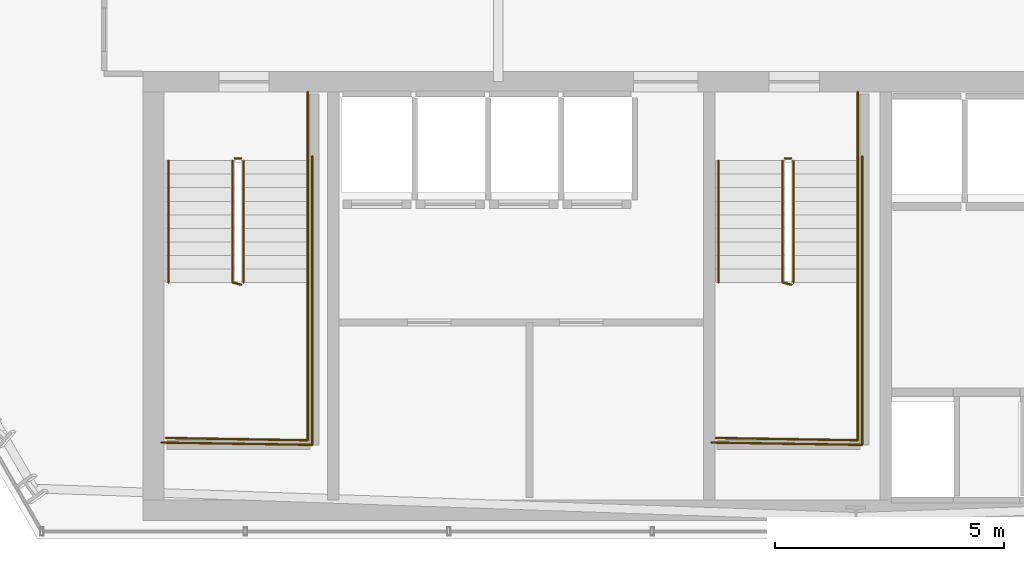
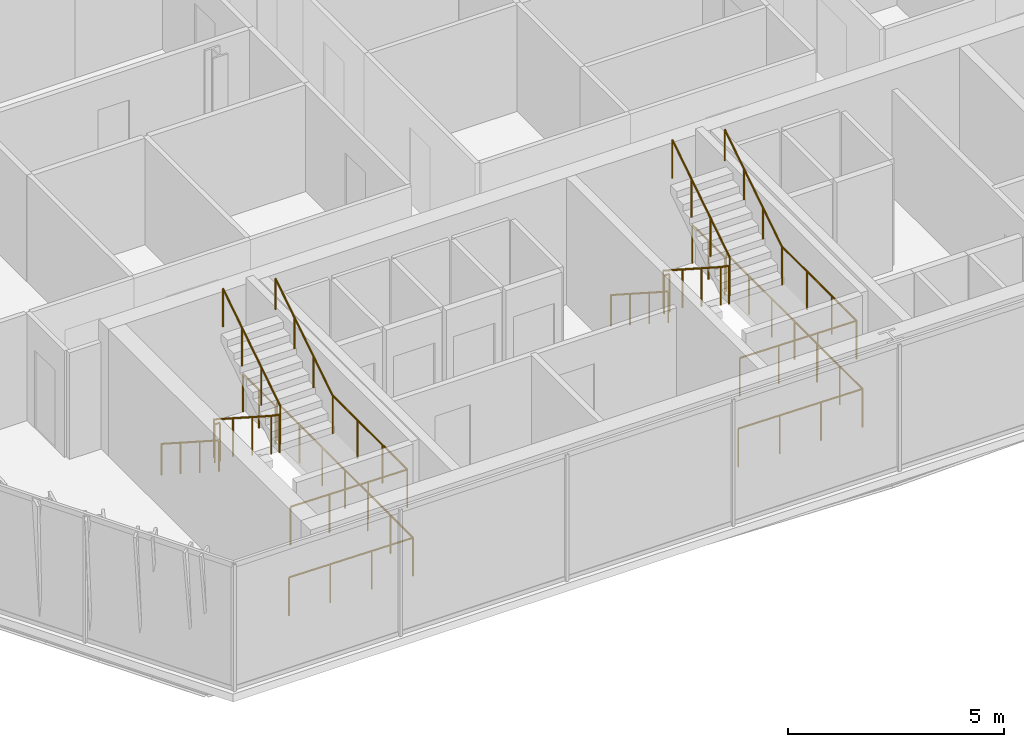
# One storey, part 29 of 31: 16 railings.
"""IFC4 building model written with IfcOpenShell, lengths in metres."""

import ifcopenshell
import ifcopenshell.guid

model = None  # the IFC model being written
_history = None  # IfcOwnerHistory: only IFC2X3 demands one
_inside = {}  # id of a spatial element -> (the spatial element, [elements in it])
_under = {}  # id of a project, library or spatial element -> (it, [spatial elements below it])
_declared = {}  # id of a project -> (the project, [libraries it declares])
_typed = {}  # id of a type object -> (the type object, [elements of that type])
_made_of = {}  # id of a material, layer set ... -> (it, [elements and type objects made of it])


def new_model(schema):
    """Start an empty IFC model of exactly this schema.

    Asked for "IFC4X3", IfcOpenShell would pick the latest addendum, in which some entities
    have other attributes; the version numbers below select the first issue.
    IFC2X3 requires an IfcOwnerHistory on every rooted entity: one is made here for all.
    """
    global model, _history
    if schema == "IFC4X3":
        model = ifcopenshell.file(schema_version=(4, 3, 0, 0))
    else:
        model = ifcopenshell.file(schema=schema)
    _inside.clear()
    _under.clear()
    _declared.clear()
    _typed.clear()
    _made_of.clear()
    _history = None
    if model.schema == "IFC2X3":
        org = make("IfcOrganization", Name="unknown")
        user = make(
            "IfcPersonAndOrganization",
            ThePerson=make("IfcPerson", FamilyName="unknown"),
            TheOrganization=org,
        )
        app = make(
            "IfcApplication",
            ApplicationDeveloper=org,
            Version="unknown",
            ApplicationFullName="unknown",
            ApplicationIdentifier="unknown",
        )
        _history = make(
            "IfcOwnerHistory",
            OwningUser=user,
            OwningApplication=app,
            ChangeAction="ADDED",
            CreationDate=0,
        )
    return model


def make(cls, **values):
    """One entity of the class cls with the attributes given. An attribute that is None is left unset."""
    return model.create_entity(
        cls, **{name: value for name, value in values.items() if value is not None}
    )


def rooted(cls, **values):
    """An entity with a GlobalId (a new one), such as an element, a storey or a relation."""
    return make(cls, GlobalId=ifcopenshell.guid.new(), OwnerHistory=_history, **values)


def si_unit(unit_type, name, prefix=None):
    """IfcSIUnit, for example si_unit("LENGTHUNIT", "METRE", prefix="MILLI")."""
    return make("IfcSIUnit", UnitType=unit_type, Prefix=prefix, Name=name)


def assignment(units):
    """IfcUnitAssignment: the units of a project."""
    return None if units is None else make("IfcUnitAssignment", Units=units)


def point(xyz):
    """IfcCartesianPoint."""
    return None if xyz is None else make("IfcCartesianPoint", Coordinates=xyz)


def direction(xyz):
    """IfcDirection."""
    return None if xyz is None else make("IfcDirection", DirectionRatios=xyz)


def frame(location, z_axis=None, x_axis=None):
    """IfcAxis2Placement3D, a coordinate frame: its origin and axes. An axis left out is left unset."""
    return make(
        "IfcAxis2Placement3D",
        Location=point(location),
        Axis=direction(z_axis),
        RefDirection=direction(x_axis),
    )


def frame_2d(location, x_axis=None):
    """IfcAxis2Placement2D, a coordinate frame in the plane: its origin and x axis."""
    return make(
        "IfcAxis2Placement2D", Location=point(location), RefDirection=direction(x_axis)
    )


def origin():
    """The frame at (0, 0, 0) with its axes left unset."""
    return frame((0.0, 0.0, 0.0))


def origin_2d():
    """The frame at (0, 0) in the plane with its x axis left unset."""
    return frame_2d((0.0, 0.0))


def place(relative_to, where):
    """IfcLocalPlacement: puts the frame where relative to a parent placement (None: the world)."""
    return make(
        "IfcLocalPlacement", PlacementRelTo=relative_to, RelativePlacement=where
    )


def context(
    kind, dimensions, precision=None, world=None, true_north=None, identifier=None
):
    """IfcGeometricRepresentationContext, for example the 3D "Model" context."""
    return make(
        "IfcGeometricRepresentationContext",
        ContextIdentifier=identifier,
        ContextType=kind,
        CoordinateSpaceDimension=dimensions,
        Precision=precision,
        WorldCoordinateSystem=world,
        TrueNorth=true_north,
    )


def subcontext(parent, identifier, kind, view, scale=None):
    """IfcGeometricRepresentationSubContext, for example "Body" below "Model"."""
    return make(
        "IfcGeometricRepresentationSubContext",
        ContextIdentifier=identifier,
        ContextType=kind,
        ParentContext=parent,
        TargetScale=scale,
        TargetView=view,
    )


def project(units=None, contexts=None):
    """IfcProject with its units and contexts."""
    return rooted(
        "IfcProject",
        Name="project",
        RepresentationContexts=contexts,
        UnitsInContext=assignment(units),
    )


def spatial(cls, under=None, at=None, **own):
    """A site, building, storey or space (cls), placed at a placement, below another one or the project."""
    s = rooted(cls, ObjectPlacement=at, **own)
    if under is not None:
        _under.setdefault(under.id(), (under, []))[1].append(s)
    return s


def profile(cls, at=None, kind="AREA", **sizes):
    """A parametric profile (cls). Its sizes go by their IFC names, for example OverallWidth=200.0."""
    return make(cls, ProfileType=kind, Position=at, **sizes)


def circle(**sizes):
    """IfcCircleProfileDef."""
    return profile("IfcCircleProfileDef", **sizes)


def extrude(swept, where, along, depth):
    """IfcExtrudedAreaSolid: the profile swept, set in the frame where, extruded along a direction by depth."""
    return make(
        "IfcExtrudedAreaSolid",
        SweptArea=swept,
        Position=where,
        ExtrudedDirection=direction(along),
        Depth=depth,
    )


def shape(context_of_items, identifier, shape_type, items):
    """IfcShapeRepresentation: the items that make up one representation, for example the "Body"."""
    return make(
        "IfcShapeRepresentation",
        ContextOfItems=context_of_items,
        RepresentationIdentifier=identifier,
        RepresentationType=shape_type,
        Items=items,
    )


def material(Name=None, Category=None):
    """IfcMaterial."""
    return make("IfcMaterial", Name=Name, Category=Category)


def layer(
    of_material, thickness, ventilated=None, Name=None, Category=None, Priority=None
):
    """IfcMaterialLayer: one layer of a wall or slab, of a material (None: an air gap)."""
    return make(
        "IfcMaterialLayer",
        Material=of_material,
        LayerThickness=thickness,
        IsVentilated=ventilated,
        Name=Name,
        Category=Category,
        Priority=Priority,
    )


def layer_set(layers, Name=None):
    """IfcMaterialLayerSet."""
    return make("IfcMaterialLayerSet", MaterialLayers=layers, LayerSetName=Name)


def made_of(thing, what):
    """Note that an element or type object is made of a material, layer set ...; save() writes the relation."""
    if what is not None:
        _made_of.setdefault(what.id(), (what, []))[1].append(thing)
    return thing


def type_object(cls, material=None, **own):
    """A type object (cls), such as IfcWallType, which elements share."""
    return made_of(rooted(cls, **own), material)


def element(
    cls,
    number,
    at=None,
    inside=None,
    cuts=None,
    type_object=None,
    material=None,
    context=None,
    identifier="Body",
    shape_type=None,
    held_by="IfcProductDefinitionShape",
    body=None,
    shapes=None,
    **own,
):
    """One element of the class cls, such as IfcWall. Its Tag is "e" and its number.

    at: its placement. inside: the storey or other place that contains it. cuts: it is an
    opening in that element (IfcRelVoidsElement). A single representation is given by context,
    identifier, shape_type and body (its items); several are given by shapes. held_by: the class
    of the entity that holds the representations. save() writes the other relations.
    """
    e = rooted(cls, Tag="e%d" % number, ObjectPlacement=at, **own)
    if body is not None:
        shapes = [shape(context, identifier, shape_type, body)]
    if shapes is not None:
        e.Representation = make(held_by, Representations=shapes)
    if inside is not None:
        _inside.setdefault(inside.id(), (inside, []))[1].append(e)
    if cuts is not None:
        rooted(
            "IfcRelVoidsElement", RelatingBuildingElement=cuts, RelatedOpeningElement=e
        )
    if type_object is not None:
        _typed.setdefault(type_object.id(), (type_object, []))[1].append(e)
    return made_of(e, material)


def aggregate(whole, parts):
    """IfcRelAggregates: a whole, such as a stair, and the parts it consists of."""
    return rooted("IfcRelAggregates", RelatingObject=whole, RelatedObjects=parts)


def save(model, path):
    """Write the relations noted so far, then the file.

    IfcRelAggregates (storeys below a building ...), IfcRelContainedInSpatialStructure (elements
    in a storey), IfcRelDefinesByType, IfcRelAssociatesMaterial and IfcRelDeclares: one each for
    every whole, place, type object, material and project.
    """
    for whole, parts in _under.values():
        aggregate(whole, parts)
    for where, things in _inside.values():
        rooted(
            "IfcRelContainedInSpatialStructure",
            RelatedElements=things,
            RelatingStructure=where,
        )
    for kind, things in _typed.values():
        rooted("IfcRelDefinesByType", RelatedObjects=things, RelatingType=kind)
    for what, things in _made_of.values():
        rooted("IfcRelAssociatesMaterial", RelatedObjects=things, RelatingMaterial=what)
    for by, libraries in _declared.values():
        rooted("IfcRelDeclares", RelatingContext=by, RelatedDefinitions=libraries)
    model.write(path)


model = new_model("IFC4")

# Units and contexts
model_context = context("Model", 3, precision=1e-05, world=origin(), true_north=direction((0.0, 1.0)))
body_context = subcontext(model_context, "Body", "Model", "MODEL_VIEW")
ifc_project = project(units=[si_unit("LENGTHUNIT", "METRE"), si_unit("AREAUNIT", "SQUARE_METRE"), si_unit("VOLUMEUNIT", "CUBIC_METRE"), si_unit("PLANEANGLEUNIT", "RADIAN"), si_unit("MASSUNIT", "GRAM", prefix="KILO")], contexts=[model_context])

# Site, building, storey
site_placement = place(None, origin())
site = spatial("IfcSite", under=ifc_project, at=site_placement, CompositionType="ELEMENT")
building_placement = place(site_placement, origin())
building = spatial("IfcBuilding", under=site, at=building_placement, Name="Ndaravel Arena Tower", CompositionType="ELEMENT")
storey_placement = place(building_placement, frame((0.0, 0.0, 146.0)))
storey = spatial("IfcBuildingStorey", under=building, at=storey_placement, Name="L34", CompositionType="ELEMENT", Elevation=146.0)

# Railings
ifc_material_1 = material(Name="Steel S355", Category="steel")
ifc_layer_1 = layer(ifc_material_1, 0.06005859375)
ifc_layer_set_1 = layer_set([ifc_layer_1], Name="Steel S355")
railing_type_1 = type_object("IfcRailingType", Name="RAIL-STAIR-GD1100", PredefinedType="GUARDRAIL", material=ifc_layer_set_1)
railing_1_placement = place(storey_placement, frame((28.39990234375, 13.25, 0.18994140625)))
element("IfcRailing", 1, at=railing_1_placement, inside=storey, type_object=railing_type_1, Name="L34 ST-1 stair guard 1", PredefinedType="GUARDRAIL", context=body_context, shape_type="SweptSolid", body=[
    extrude(circle(Radius=0.02392578125, at=origin_2d()), frame((0.0, 0.0, 1.076171875), z_axis=(0.0, -0.840723540582, 0.54146461409), x_axis=(1.0, 0.0, 0.0)), (0.0, 0.0, 1.0), 3.157958984375),
    extrude(circle(Radius=0.02392578125, at=origin_2d()), frame((0.0, -2.655029296875, 2.7861328125), z_axis=(0.967074537263, -0.25449329928, 0.0), x_axis=(0.25449329928, 0.967074537263, 0.0)), (0.0, 0.0, 1.0), 0.19677734375),
    extrude(circle(Radius=0.02099609375, at=origin_2d()), origin(), (0.0, 0.0, 1.0), 1.052001953125),
    extrude(circle(Radius=0.02099609375, at=origin_2d()), frame((0.0, -0.885009765625, 0.570068359375)), (0.0, 0.0, 1.0), 1.052001953125),
    extrude(circle(Radius=0.02099609375, at=origin_2d()), frame((0.0, -1.77001953125, 1.139892578125)), (0.0, 0.0, 1.0), 1.052001953125),
    extrude(circle(Radius=0.02099609375, at=origin_2d()), frame((0.0, -2.655029296875, 1.7099609375)), (0.0, 0.0, 1.0), 1.052001953125),
    extrude(circle(Radius=0.02099609375, at=origin_2d()), frame((0.190185546875, -2.705078125, 1.7099609375)), (0.0, 0.0, 1.0), 1.052001953125),
])
railing_2_placement = place(storey_placement, frame((30.0400390625, 10.594970703125, 1.89990234375)))
element("IfcRailing", 2, at=railing_2_placement, inside=storey, type_object=railing_type_1, Name="L34 ST-1 stair guard 2", PredefinedType="GUARDRAIL", context=body_context, shape_type="SweptSolid", body=[
    extrude(circle(Radius=0.02392578125, at=origin_2d()), frame((0.0, 0.0, 1.076171875), z_axis=(0.0, -1.0, 0.0), x_axis=(1.0, 0.0, 0.0)), (0.0, 0.0, 1.0), 3.445068359375),
    extrude(circle(Radius=0.02392578125, at=origin_2d()), frame((0.0, -3.445068359375, 1.076171875), z_axis=(-0.999868861343, 0.016194447071, 0.0), x_axis=(-0.016194447071, -0.999868861343, 0.0)), (0.0, 0.0, 1.0), 3.090576171875),
    extrude(circle(Radius=0.02099609375, at=origin_2d()), origin(), (0.0, 0.0, 1.0), 1.052001953125),
    extrude(circle(Radius=0.02099609375, at=origin_2d()), frame((0.0, -1.1484375, 0.0)), (0.0, 0.0, 1.0), 1.052001953125),
    extrude(circle(Radius=0.02099609375, at=origin_2d()), frame((0.0, -2.296630859375, 0.0)), (0.0, 0.0, 1.0), 1.052001953125),
    extrude(circle(Radius=0.02099609375, at=origin_2d()), frame((0.0, -3.445068359375, 0.0)), (0.0, 0.0, 1.0), 1.052001953125),
    extrude(circle(Radius=0.02099609375, at=origin_2d()), frame((-1.030029296875, -3.428466796875, 0.0)), (0.0, 0.0, 1.0), 1.052001953125),
    extrude(circle(Radius=0.02099609375, at=origin_2d()), frame((-2.06005859375, -3.41162109375, 0.0)), (0.0, 0.0, 1.0), 1.052001953125),
    extrude(circle(Radius=0.02099609375, at=origin_2d()), frame((-3.090087890625, -3.39501953125, 0.0)), (0.0, 0.0, 1.0), 1.052001953125),
])
railing_3_placement = place(storey_placement, frame((28.639892578125, 10.594970703125, 2.090087890625)))
element("IfcRailing", 3, at=railing_3_placement, inside=storey, type_object=railing_type_1, Name="L34 ST-1 stair guard 3", PredefinedType="GUARDRAIL", context=body_context, shape_type="SweptSolid", body=[
    extrude(circle(Radius=0.02392578125, at=origin_2d()), frame((0.0, 0.0, 1.076171875), z_axis=(0.0, 0.840723540582, 0.54146461409), x_axis=(-1.0, 0.0, 0.0)), (0.0, 0.0, 1.0), 3.157958984375),
    extrude(circle(Radius=0.02099609375, at=origin_2d()), origin(), (0.0, 0.0, 1.0), 1.052001953125),
    extrude(circle(Radius=0.02099609375, at=origin_2d()), frame((0.0, 0.885009765625, 0.570068359375)), (0.0, 0.0, 1.0), 1.052001953125),
    extrude(circle(Radius=0.02099609375, at=origin_2d()), frame((0.0, 1.77001953125, 1.139892578125)), (0.0, 0.0, 1.0), 1.052001953125),
    extrude(circle(Radius=0.02099609375, at=origin_2d()), frame((0.0, 2.655029296875, 1.7099609375)), (0.0, 0.0, 1.0), 1.052001953125),
])
railing_4_placement = place(storey_placement, frame((28.449951171875, 13.300048828125, 0.0)))
element("IfcRailing", 4, at=railing_4_placement, inside=storey, type_object=railing_type_1, Name="L34 ST-1 stair guard 4", PredefinedType="GUARDRAIL", context=body_context, shape_type="SweptSolid", body=[
    extrude(circle(Radius=0.02392578125, at=origin_2d()), frame((0.0, 0.0, 1.076171875), z_axis=(1.0, 0.0, 0.0), x_axis=(0.0, 1.0, 0.0)), (0.0, 0.0, 1.0), 0.14013671875),
    extrude(circle(Radius=0.02099609375, at=origin_2d()), origin(), (0.0, 0.0, 1.0), 1.052001953125),
    extrude(circle(Radius=0.02099609375, at=origin_2d()), frame((0.14013671875, 0.0, 0.0)), (0.0, 0.0, 1.0), 1.052001953125),
])
railing_5_placement = place(storey_placement, frame((30.0400390625, 14.75, 0.0)))
element("IfcRailing", 5, at=railing_5_placement, inside=storey, type_object=railing_type_1, Name="L34 ST-1 stair guard 5", PredefinedType="GUARDRAIL", context=body_context, shape_type="SweptSolid", body=[
    extrude(circle(Radius=0.02392578125, at=origin_2d()), frame((0.0, 0.0, 1.076171875), z_axis=(0.0, -1.0, 0.0), x_axis=(1.0, 0.0, 0.0)), (0.0, 0.0, 1.0), 1.5),
    extrude(circle(Radius=0.02099609375, at=origin_2d()), origin(), (0.0, 0.0, 1.0), 1.052001953125),
    extrude(circle(Radius=0.02099609375, at=origin_2d()), frame((0.0, -0.75, 0.0)), (0.0, 0.0, 1.0), 1.052001953125),
    extrude(circle(Radius=0.02099609375, at=origin_2d()), frame((0.0, -1.5, 0.0)), (0.0, 0.0, 1.0), 1.052001953125),
])
railing_6_placement = place(storey_placement, frame((30.139892578125, 13.35009765625, 0.0)))
element("IfcRailing", 6, at=railing_6_placement, inside=storey, type_object=railing_type_1, Name="L34 ST-1 stair guard 6", PredefinedType="GUARDRAIL", context=body_context, shape_type="SweptSolid", body=[
    extrude(circle(Radius=0.02392578125, at=origin_2d()), frame((0.0, 0.0, 1.076171875), z_axis=(0.0, -1.0, 0.0), x_axis=(1.0, 0.0, 0.0)), (0.0, 0.0, 1.0), 6.300048828125),
    extrude(circle(Radius=0.02392578125, at=origin_2d()), frame((0.0, -6.300048828125, 1.076171875), z_axis=(-0.999884296952, 0.015211597839, 0.0), x_axis=(-0.015211597839, -0.999884296952, 0.0)), (0.0, 0.0, 1.0), 3.290283203125),
    extrude(circle(Radius=0.02099609375, at=origin_2d()), origin(), (0.0, 0.0, 1.0), 1.052001953125),
    extrude(circle(Radius=0.02099609375, at=origin_2d()), frame((0.0, -1.050048828125, 0.0)), (0.0, 0.0, 1.0), 1.052001953125),
    extrude(circle(Radius=0.02099609375, at=origin_2d()), frame((0.0, -2.10009765625, 0.0)), (0.0, 0.0, 1.0), 1.052001953125),
    extrude(circle(Radius=0.02099609375, at=origin_2d()), frame((0.0, -3.14990234375, 0.0)), (0.0, 0.0, 1.0), 1.052001953125),
    extrude(circle(Radius=0.02099609375, at=origin_2d()), frame((0.0, -4.199951171875, 0.0)), (0.0, 0.0, 1.0), 1.052001953125),
    extrude(circle(Radius=0.02099609375, at=origin_2d()), frame((0.0, -5.25, 0.0)), (0.0, 0.0, 1.0), 1.052001953125),
    extrude(circle(Radius=0.02099609375, at=origin_2d()), frame((0.0, -6.300048828125, 0.0)), (0.0, 0.0, 1.0), 1.052001953125),
    extrude(circle(Radius=0.02099609375, at=origin_2d()), frame((-1.0966796875, -6.283447265625, 0.0)), (0.0, 0.0, 1.0), 1.052001953125),
    extrude(circle(Radius=0.02099609375, at=origin_2d()), frame((-2.193115234375, -6.2666015625, 0.0)), (0.0, 0.0, 1.0), 1.052001953125),
    extrude(circle(Radius=0.02099609375, at=origin_2d()), frame((-3.289794921875, -6.25, 0.0)), (0.0, 0.0, 1.0), 1.052001953125),
])
railing_7_placement = place(storey_placement, frame((40.39990234375, 13.25, 0.18994140625)))
element("IfcRailing", 7, at=railing_7_placement, inside=storey, type_object=railing_type_1, Name="L34 ST-2 stair guard 1", PredefinedType="GUARDRAIL", context=body_context, shape_type="SweptSolid", body=[
    extrude(circle(Radius=0.02392578125, at=origin_2d()), frame((0.0, 0.0, 1.076171875), z_axis=(0.0, -0.840723540582, 0.54146461409), x_axis=(1.0, 0.0, 0.0)), (0.0, 0.0, 1.0), 3.157958984375),
    extrude(circle(Radius=0.02392578125, at=origin_2d()), frame((0.0, -2.655029296875, 2.7861328125), z_axis=(0.967074537263, -0.25449329928, 0.0), x_axis=(0.25449329928, 0.967074537263, 0.0)), (0.0, 0.0, 1.0), 0.19677734375),
    extrude(circle(Radius=0.02099609375, at=origin_2d()), origin(), (0.0, 0.0, 1.0), 1.052001953125),
    extrude(circle(Radius=0.02099609375, at=origin_2d()), frame((0.0, -0.885009765625, 0.570068359375)), (0.0, 0.0, 1.0), 1.052001953125),
    extrude(circle(Radius=0.02099609375, at=origin_2d()), frame((0.0, -1.77001953125, 1.139892578125)), (0.0, 0.0, 1.0), 1.052001953125),
    extrude(circle(Radius=0.02099609375, at=origin_2d()), frame((0.0, -2.655029296875, 1.7099609375)), (0.0, 0.0, 1.0), 1.052001953125),
    extrude(circle(Radius=0.02099609375, at=origin_2d()), frame((0.190185546875, -2.705078125, 1.7099609375)), (0.0, 0.0, 1.0), 1.052001953125),
])
railing_8_placement = place(storey_placement, frame((42.0400390625, 10.594970703125, 1.89990234375)))
element("IfcRailing", 8, at=railing_8_placement, inside=storey, type_object=railing_type_1, Name="L34 ST-2 stair guard 2", PredefinedType="GUARDRAIL", context=body_context, shape_type="SweptSolid", body=[
    extrude(circle(Radius=0.02392578125, at=origin_2d()), frame((0.0, 0.0, 1.076171875), z_axis=(0.0, -1.0, 0.0), x_axis=(1.0, 0.0, 0.0)), (0.0, 0.0, 1.0), 3.445068359375),
    extrude(circle(Radius=0.02392578125, at=origin_2d()), frame((0.0, -3.445068359375, 1.076171875), z_axis=(-0.999868861343, 0.016194447071, 0.0), x_axis=(-0.016194447071, -0.999868861343, 0.0)), (0.0, 0.0, 1.0), 3.090576171875),
    extrude(circle(Radius=0.02099609375, at=origin_2d()), origin(), (0.0, 0.0, 1.0), 1.052001953125),
    extrude(circle(Radius=0.02099609375, at=origin_2d()), frame((0.0, -1.1484375, 0.0)), (0.0, 0.0, 1.0), 1.052001953125),
    extrude(circle(Radius=0.02099609375, at=origin_2d()), frame((0.0, -2.296630859375, 0.0)), (0.0, 0.0, 1.0), 1.052001953125),
    extrude(circle(Radius=0.02099609375, at=origin_2d()), frame((0.0, -3.445068359375, 0.0)), (0.0, 0.0, 1.0), 1.052001953125),
    extrude(circle(Radius=0.02099609375, at=origin_2d()), frame((-1.030029296875, -3.428466796875, 0.0)), (0.0, 0.0, 1.0), 1.052001953125),
    extrude(circle(Radius=0.02099609375, at=origin_2d()), frame((-2.06005859375, -3.41162109375, 0.0)), (0.0, 0.0, 1.0), 1.052001953125),
    extrude(circle(Radius=0.02099609375, at=origin_2d()), frame((-3.090087890625, -3.39501953125, 0.0)), (0.0, 0.0, 1.0), 1.052001953125),
])
railing_9_placement = place(storey_placement, frame((40.639892578125, 10.594970703125, 2.090087890625)))
element("IfcRailing", 9, at=railing_9_placement, inside=storey, type_object=railing_type_1, Name="L34 ST-2 stair guard 3", PredefinedType="GUARDRAIL", context=body_context, shape_type="SweptSolid", body=[
    extrude(circle(Radius=0.02392578125, at=origin_2d()), frame((0.0, 0.0, 1.076171875), z_axis=(0.0, 0.840723540582, 0.54146461409), x_axis=(-1.0, 0.0, 0.0)), (0.0, 0.0, 1.0), 3.157958984375),
    extrude(circle(Radius=0.02099609375, at=origin_2d()), origin(), (0.0, 0.0, 1.0), 1.052001953125),
    extrude(circle(Radius=0.02099609375, at=origin_2d()), frame((0.0, 0.885009765625, 0.570068359375)), (0.0, 0.0, 1.0), 1.052001953125),
    extrude(circle(Radius=0.02099609375, at=origin_2d()), frame((0.0, 1.77001953125, 1.139892578125)), (0.0, 0.0, 1.0), 1.052001953125),
    extrude(circle(Radius=0.02099609375, at=origin_2d()), frame((0.0, 2.655029296875, 1.7099609375)), (0.0, 0.0, 1.0), 1.052001953125),
])
railing_10_placement = place(storey_placement, frame((40.449951171875, 13.300048828125, 0.0)))
element("IfcRailing", 10, at=railing_10_placement, inside=storey, type_object=railing_type_1, Name="L34 ST-2 stair guard 4", PredefinedType="GUARDRAIL", context=body_context, shape_type="SweptSolid", body=[
    extrude(circle(Radius=0.02392578125, at=origin_2d()), frame((0.0, 0.0, 1.076171875), z_axis=(1.0, 0.0, 0.0), x_axis=(0.0, 1.0, 0.0)), (0.0, 0.0, 1.0), 0.14013671875),
    extrude(circle(Radius=0.02099609375, at=origin_2d()), origin(), (0.0, 0.0, 1.0), 1.052001953125),
    extrude(circle(Radius=0.02099609375, at=origin_2d()), frame((0.14013671875, 0.0, 0.0)), (0.0, 0.0, 1.0), 1.052001953125),
])
railing_11_placement = place(storey_placement, frame((42.0400390625, 14.75, 0.0)))
element("IfcRailing", 11, at=railing_11_placement, inside=storey, type_object=railing_type_1, Name="L34 ST-2 stair guard 5", PredefinedType="GUARDRAIL", context=body_context, shape_type="SweptSolid", body=[
    extrude(circle(Radius=0.02392578125, at=origin_2d()), frame((0.0, 0.0, 1.076171875), z_axis=(0.0, -1.0, 0.0), x_axis=(1.0, 0.0, 0.0)), (0.0, 0.0, 1.0), 1.5),
    extrude(circle(Radius=0.02099609375, at=origin_2d()), origin(), (0.0, 0.0, 1.0), 1.052001953125),
    extrude(circle(Radius=0.02099609375, at=origin_2d()), frame((0.0, -0.75, 0.0)), (0.0, 0.0, 1.0), 1.052001953125),
    extrude(circle(Radius=0.02099609375, at=origin_2d()), frame((0.0, -1.5, 0.0)), (0.0, 0.0, 1.0), 1.052001953125),
])
railing_12_placement = place(storey_placement, frame((42.139892578125, 13.35009765625, 0.0)))
element("IfcRailing", 12, at=railing_12_placement, inside=storey, type_object=railing_type_1, Name="L34 ST-2 stair guard 6", PredefinedType="GUARDRAIL", context=body_context, shape_type="SweptSolid", body=[
    extrude(circle(Radius=0.02392578125, at=origin_2d()), frame((0.0, 0.0, 1.076171875), z_axis=(0.0, -1.0, 0.0), x_axis=(1.0, 0.0, 0.0)), (0.0, 0.0, 1.0), 6.300048828125),
    extrude(circle(Radius=0.02392578125, at=origin_2d()), frame((0.0, -6.300048828125, 1.076171875), z_axis=(-0.999884296952, 0.015211597839, 0.0), x_axis=(-0.015211597839, -0.999884296952, 0.0)), (0.0, 0.0, 1.0), 3.290283203125),
    extrude(circle(Radius=0.02099609375, at=origin_2d()), origin(), (0.0, 0.0, 1.0), 1.052001953125),
    extrude(circle(Radius=0.02099609375, at=origin_2d()), frame((0.0, -1.050048828125, 0.0)), (0.0, 0.0, 1.0), 1.052001953125),
    extrude(circle(Radius=0.02099609375, at=origin_2d()), frame((0.0, -2.10009765625, 0.0)), (0.0, 0.0, 1.0), 1.052001953125),
    extrude(circle(Radius=0.02099609375, at=origin_2d()), frame((0.0, -3.14990234375, 0.0)), (0.0, 0.0, 1.0), 1.052001953125),
    extrude(circle(Radius=0.02099609375, at=origin_2d()), frame((0.0, -4.199951171875, 0.0)), (0.0, 0.0, 1.0), 1.052001953125),
    extrude(circle(Radius=0.02099609375, at=origin_2d()), frame((0.0, -5.25, 0.0)), (0.0, 0.0, 1.0), 1.052001953125),
    extrude(circle(Radius=0.02099609375, at=origin_2d()), frame((0.0, -6.300048828125, 0.0)), (0.0, 0.0, 1.0), 1.052001953125),
    extrude(circle(Radius=0.02099609375, at=origin_2d()), frame((-1.0966796875, -6.283447265625, 0.0)), (0.0, 0.0, 1.0), 1.052001953125),
    extrude(circle(Radius=0.02099609375, at=origin_2d()), frame((-2.193115234375, -6.2666015625, 0.0)), (0.0, 0.0, 1.0), 1.052001953125),
    extrude(circle(Radius=0.02099609375, at=origin_2d()), frame((-3.289794921875, -6.25, 0.0)), (0.0, 0.0, 1.0), 1.052001953125),
])
ifc_material_2 = material(Name="Steel S355", Category="steel")
ifc_layer_2 = layer(ifc_material_2, 0.050048828125)
ifc_layer_set_2 = layer_set([ifc_layer_2], Name="Steel S355")
railing_type_2 = type_object("IfcRailingType", Name="RAIL-STAIR-HR920", PredefinedType="HANDRAIL", material=ifc_layer_set_2)
railing_13_placement = place(storey_placement, frame((27.0, 13.25, 0.18994140625)))
element("IfcRailing", 13, at=railing_13_placement, inside=storey, type_object=railing_type_2, Name="L34 ST-1 stair handrail 1", PredefinedType="HANDRAIL", context=body_context, shape_type="SweptSolid", body=[
    extrude(circle(Radius=0.02392578125, at=origin_2d()), frame((0.0, 0.0, 0.8759765625), z_axis=(0.0, -0.840723540582, 0.54146461409), x_axis=(1.0, 0.0, 0.0)), (0.0, 0.0, 1.0), 3.157958984375),
    extrude(circle(Radius=0.02099609375, at=origin_2d()), origin(), (0.0, 0.0, 1.0), 0.851806640625),
    extrude(circle(Radius=0.02099609375, at=origin_2d()), frame((0.0, -0.885009765625, 0.570068359375)), (0.0, 0.0, 1.0), 0.851806640625),
    extrude(circle(Radius=0.02099609375, at=origin_2d()), frame((0.0, -1.77001953125, 1.139892578125)), (0.0, 0.0, 1.0), 0.851806640625),
    extrude(circle(Radius=0.02099609375, at=origin_2d()), frame((0.0, -2.655029296875, 1.7099609375)), (0.0, 0.0, 1.0), 0.851806640625),
])
railing_14_placement = place(storey_placement, frame((30.0400390625, 10.594970703125, 2.090087890625)))
element("IfcRailing", 14, at=railing_14_placement, inside=storey, type_object=railing_type_2, Name="L34 ST-1 stair handrail 2", PredefinedType="HANDRAIL", context=body_context, shape_type="SweptSolid", body=[
    extrude(circle(Radius=0.02392578125, at=origin_2d()), frame((0.0, 0.0, 0.8759765625), z_axis=(0.0, 0.840723540582, 0.54146461409), x_axis=(-1.0, 0.0, 0.0)), (0.0, 0.0, 1.0), 3.157958984375),
    extrude(circle(Radius=0.02099609375, at=origin_2d()), origin(), (0.0, 0.0, 1.0), 0.851806640625),
    extrude(circle(Radius=0.02099609375, at=origin_2d()), frame((0.0, 0.885009765625, 0.570068359375)), (0.0, 0.0, 1.0), 0.851806640625),
    extrude(circle(Radius=0.02099609375, at=origin_2d()), frame((0.0, 1.77001953125, 1.139892578125)), (0.0, 0.0, 1.0), 0.851806640625),
    extrude(circle(Radius=0.02099609375, at=origin_2d()), frame((0.0, 2.655029296875, 1.7099609375)), (0.0, 0.0, 1.0), 0.851806640625),
])
railing_15_placement = place(storey_placement, frame((39.0, 13.25, 0.18994140625)))
element("IfcRailing", 15, at=railing_15_placement, inside=storey, type_object=railing_type_2, Name="L34 ST-2 stair handrail 1", PredefinedType="HANDRAIL", context=body_context, shape_type="SweptSolid", body=[
    extrude(circle(Radius=0.02392578125, at=origin_2d()), frame((0.0, 0.0, 0.8759765625), z_axis=(0.0, -0.840723540582, 0.54146461409), x_axis=(1.0, 0.0, 0.0)), (0.0, 0.0, 1.0), 3.157958984375),
    extrude(circle(Radius=0.02099609375, at=origin_2d()), origin(), (0.0, 0.0, 1.0), 0.851806640625),
    extrude(circle(Radius=0.02099609375, at=origin_2d()), frame((0.0, -0.885009765625, 0.570068359375)), (0.0, 0.0, 1.0), 0.851806640625),
    extrude(circle(Radius=0.02099609375, at=origin_2d()), frame((0.0, -1.77001953125, 1.139892578125)), (0.0, 0.0, 1.0), 0.851806640625),
    extrude(circle(Radius=0.02099609375, at=origin_2d()), frame((0.0, -2.655029296875, 1.7099609375)), (0.0, 0.0, 1.0), 0.851806640625),
])
railing_16_placement = place(storey_placement, frame((42.0400390625, 10.594970703125, 2.090087890625)))
element("IfcRailing", 16, at=railing_16_placement, inside=storey, type_object=railing_type_2, Name="L34 ST-2 stair handrail 2", PredefinedType="HANDRAIL", context=body_context, shape_type="SweptSolid", body=[
    extrude(circle(Radius=0.02392578125, at=origin_2d()), frame((0.0, 0.0, 0.8759765625), z_axis=(0.0, 0.840723540582, 0.54146461409), x_axis=(-1.0, 0.0, 0.0)), (0.0, 0.0, 1.0), 3.157958984375),
    extrude(circle(Radius=0.02099609375, at=origin_2d()), origin(), (0.0, 0.0, 1.0), 0.851806640625),
    extrude(circle(Radius=0.02099609375, at=origin_2d()), frame((0.0, 0.885009765625, 0.570068359375)), (0.0, 0.0, 1.0), 0.851806640625),
    extrude(circle(Radius=0.02099609375, at=origin_2d()), frame((0.0, 1.77001953125, 1.139892578125)), (0.0, 0.0, 1.0), 0.851806640625),
    extrude(circle(Radius=0.02099609375, at=origin_2d()), frame((0.0, 2.655029296875, 1.7099609375)), (0.0, 0.0, 1.0), 0.851806640625),
])

save(model, "model.ifc")
